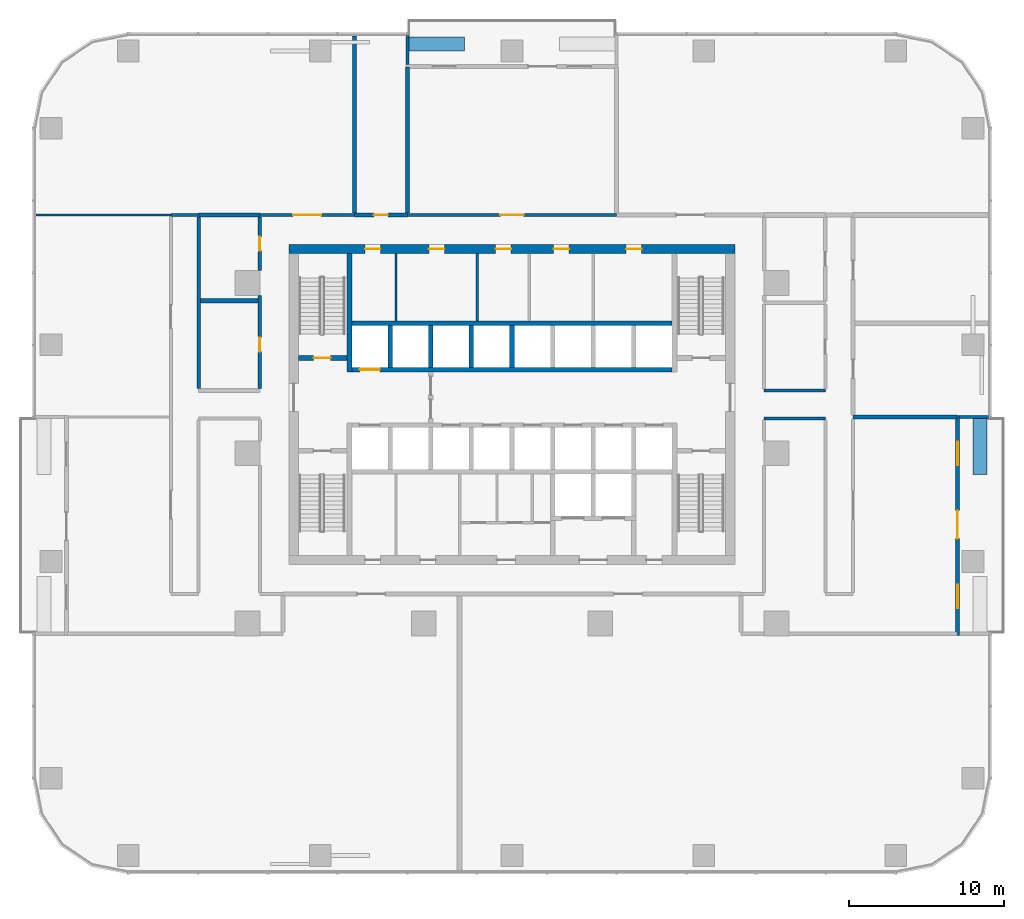
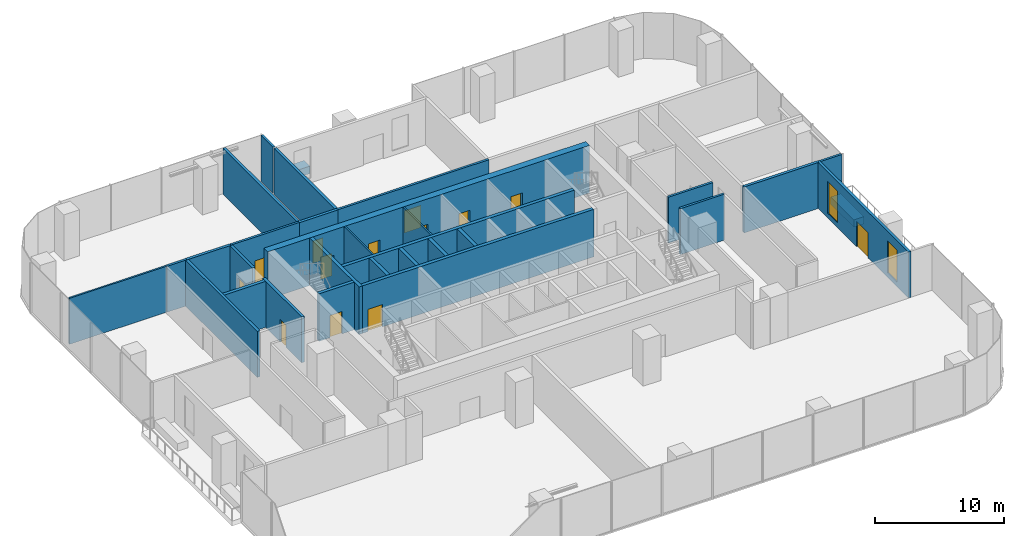
# One storey, part 9 of 14: 31 walls, 13 doors, 2 windows, 15 openings.
"""IFC4 building model written with IfcOpenShell, lengths in metres."""

import ifcopenshell
import ifcopenshell.guid

model = None  # the IFC model being written
_history = None  # IfcOwnerHistory: only IFC2X3 demands one
_inside = {}  # id of a spatial element -> (the spatial element, [elements in it])
_under = {}  # id of a project, library or spatial element -> (it, [spatial elements below it])
_declared = {}  # id of a project -> (the project, [libraries it declares])
_typed = {}  # id of a type object -> (the type object, [elements of that type])
_made_of = {}  # id of a material, layer set ... -> (it, [elements and type objects made of it])


def new_model(schema):
    """Start an empty IFC model of exactly this schema.

    Asked for "IFC4X3", IfcOpenShell would pick the latest addendum, in which some entities
    have other attributes; the version numbers below select the first issue.
    IFC2X3 requires an IfcOwnerHistory on every rooted entity: one is made here for all.
    """
    global model, _history
    if schema == "IFC4X3":
        model = ifcopenshell.file(schema_version=(4, 3, 0, 0))
    else:
        model = ifcopenshell.file(schema=schema)
    _inside.clear()
    _under.clear()
    _declared.clear()
    _typed.clear()
    _made_of.clear()
    _history = None
    if model.schema == "IFC2X3":
        org = make("IfcOrganization", Name="unknown")
        user = make(
            "IfcPersonAndOrganization",
            ThePerson=make("IfcPerson", FamilyName="unknown"),
            TheOrganization=org,
        )
        app = make(
            "IfcApplication",
            ApplicationDeveloper=org,
            Version="unknown",
            ApplicationFullName="unknown",
            ApplicationIdentifier="unknown",
        )
        _history = make(
            "IfcOwnerHistory",
            OwningUser=user,
            OwningApplication=app,
            ChangeAction="ADDED",
            CreationDate=0,
        )
    return model


def make(cls, **values):
    """One entity of the class cls with the attributes given. An attribute that is None is left unset."""
    return model.create_entity(
        cls, **{name: value for name, value in values.items() if value is not None}
    )


def rooted(cls, **values):
    """An entity with a GlobalId (a new one), such as an element, a storey or a relation."""
    return make(cls, GlobalId=ifcopenshell.guid.new(), OwnerHistory=_history, **values)


def si_unit(unit_type, name, prefix=None):
    """IfcSIUnit, for example si_unit("LENGTHUNIT", "METRE", prefix="MILLI")."""
    return make("IfcSIUnit", UnitType=unit_type, Prefix=prefix, Name=name)


def assignment(units):
    """IfcUnitAssignment: the units of a project."""
    return None if units is None else make("IfcUnitAssignment", Units=units)


def point(xyz):
    """IfcCartesianPoint."""
    return None if xyz is None else make("IfcCartesianPoint", Coordinates=xyz)


def direction(xyz):
    """IfcDirection."""
    return None if xyz is None else make("IfcDirection", DirectionRatios=xyz)


def frame(location, z_axis=None, x_axis=None):
    """IfcAxis2Placement3D, a coordinate frame: its origin and axes. An axis left out is left unset."""
    return make(
        "IfcAxis2Placement3D",
        Location=point(location),
        Axis=direction(z_axis),
        RefDirection=direction(x_axis),
    )


def frame_2d(location, x_axis=None):
    """IfcAxis2Placement2D, a coordinate frame in the plane: its origin and x axis."""
    return make(
        "IfcAxis2Placement2D", Location=point(location), RefDirection=direction(x_axis)
    )


def origin():
    """The frame at (0, 0, 0) with its axes left unset."""
    return frame((0.0, 0.0, 0.0))


def place(relative_to, where):
    """IfcLocalPlacement: puts the frame where relative to a parent placement (None: the world)."""
    return make(
        "IfcLocalPlacement", PlacementRelTo=relative_to, RelativePlacement=where
    )


def context(
    kind, dimensions, precision=None, world=None, true_north=None, identifier=None
):
    """IfcGeometricRepresentationContext, for example the 3D "Model" context."""
    return make(
        "IfcGeometricRepresentationContext",
        ContextIdentifier=identifier,
        ContextType=kind,
        CoordinateSpaceDimension=dimensions,
        Precision=precision,
        WorldCoordinateSystem=world,
        TrueNorth=true_north,
    )


def subcontext(parent, identifier, kind, view, scale=None):
    """IfcGeometricRepresentationSubContext, for example "Body" below "Model"."""
    return make(
        "IfcGeometricRepresentationSubContext",
        ContextIdentifier=identifier,
        ContextType=kind,
        ParentContext=parent,
        TargetScale=scale,
        TargetView=view,
    )


def project(units=None, contexts=None):
    """IfcProject with its units and contexts."""
    return rooted(
        "IfcProject",
        Name="project",
        RepresentationContexts=contexts,
        UnitsInContext=assignment(units),
    )


def spatial(cls, under=None, at=None, **own):
    """A site, building, storey or space (cls), placed at a placement, below another one or the project."""
    s = rooted(cls, ObjectPlacement=at, **own)
    if under is not None:
        _under.setdefault(under.id(), (under, []))[1].append(s)
    return s


def profile(cls, at=None, kind="AREA", **sizes):
    """A parametric profile (cls). Its sizes go by their IFC names, for example OverallWidth=200.0."""
    return make(cls, ProfileType=kind, Position=at, **sizes)


def rectangle(**sizes):
    """IfcRectangleProfileDef."""
    return profile("IfcRectangleProfileDef", **sizes)


def extrude(swept, where, along, depth):
    """IfcExtrudedAreaSolid: the profile swept, set in the frame where, extruded along a direction by depth."""
    return make(
        "IfcExtrudedAreaSolid",
        SweptArea=swept,
        Position=where,
        ExtrudedDirection=direction(along),
        Depth=depth,
    )


def shape(context_of_items, identifier, shape_type, items):
    """IfcShapeRepresentation: the items that make up one representation, for example the "Body"."""
    return make(
        "IfcShapeRepresentation",
        ContextOfItems=context_of_items,
        RepresentationIdentifier=identifier,
        RepresentationType=shape_type,
        Items=items,
    )


def material(Name=None, Category=None):
    """IfcMaterial."""
    return make("IfcMaterial", Name=Name, Category=Category)


def layer(
    of_material, thickness, ventilated=None, Name=None, Category=None, Priority=None
):
    """IfcMaterialLayer: one layer of a wall or slab, of a material (None: an air gap)."""
    return make(
        "IfcMaterialLayer",
        Material=of_material,
        LayerThickness=thickness,
        IsVentilated=ventilated,
        Name=Name,
        Category=Category,
        Priority=Priority,
    )


def layer_set(layers, Name=None):
    """IfcMaterialLayerSet."""
    return make("IfcMaterialLayerSet", MaterialLayers=layers, LayerSetName=Name)


def made_of(thing, what):
    """Note that an element or type object is made of a material, layer set ...; save() writes the relation."""
    if what is not None:
        _made_of.setdefault(what.id(), (what, []))[1].append(thing)
    return thing


def type_object(cls, material=None, **own):
    """A type object (cls), such as IfcWallType, which elements share."""
    return made_of(rooted(cls, **own), material)


def element(
    cls,
    number,
    at=None,
    inside=None,
    cuts=None,
    type_object=None,
    material=None,
    context=None,
    identifier="Body",
    shape_type=None,
    held_by="IfcProductDefinitionShape",
    body=None,
    shapes=None,
    **own,
):
    """One element of the class cls, such as IfcWall. Its Tag is "e" and its number.

    at: its placement. inside: the storey or other place that contains it. cuts: it is an
    opening in that element (IfcRelVoidsElement). A single representation is given by context,
    identifier, shape_type and body (its items); several are given by shapes. held_by: the class
    of the entity that holds the representations. save() writes the other relations.
    """
    e = rooted(cls, Tag="e%d" % number, ObjectPlacement=at, **own)
    if body is not None:
        shapes = [shape(context, identifier, shape_type, body)]
    if shapes is not None:
        e.Representation = make(held_by, Representations=shapes)
    if inside is not None:
        _inside.setdefault(inside.id(), (inside, []))[1].append(e)
    if cuts is not None:
        rooted(
            "IfcRelVoidsElement", RelatingBuildingElement=cuts, RelatedOpeningElement=e
        )
    if type_object is not None:
        _typed.setdefault(type_object.id(), (type_object, []))[1].append(e)
    return made_of(e, material)


def fill(opening, filler):
    """IfcRelFillsElement: the door or window that sits in an opening."""
    return rooted(
        "IfcRelFillsElement",
        RelatingOpeningElement=opening,
        RelatedBuildingElement=filler,
    )


def aggregate(whole, parts):
    """IfcRelAggregates: a whole, such as a stair, and the parts it consists of."""
    return rooted("IfcRelAggregates", RelatingObject=whole, RelatedObjects=parts)


def save(model, path):
    """Write the relations noted so far, then the file.

    IfcRelAggregates (storeys below a building ...), IfcRelContainedInSpatialStructure (elements
    in a storey), IfcRelDefinesByType, IfcRelAssociatesMaterial and IfcRelDeclares: one each for
    every whole, place, type object, material and project.
    """
    for whole, parts in _under.values():
        aggregate(whole, parts)
    for where, things in _inside.values():
        rooted(
            "IfcRelContainedInSpatialStructure",
            RelatedElements=things,
            RelatingStructure=where,
        )
    for kind, things in _typed.values():
        rooted("IfcRelDefinesByType", RelatedObjects=things, RelatingType=kind)
    for what, things in _made_of.values():
        rooted("IfcRelAssociatesMaterial", RelatedObjects=things, RelatingMaterial=what)
    for by, libraries in _declared.values():
        rooted("IfcRelDeclares", RelatingContext=by, RelatedDefinitions=libraries)
    model.write(path)


model = new_model("IFC4")

# Units and contexts
model_context = context("Model", 3, precision=1e-05, world=origin(), true_north=direction((0.0, 1.0)))
body_context = subcontext(model_context, "Body", "Model", "MODEL_VIEW")
ifc_project = project(units=[si_unit("LENGTHUNIT", "METRE"), si_unit("AREAUNIT", "SQUARE_METRE"), si_unit("VOLUMEUNIT", "CUBIC_METRE"), si_unit("PLANEANGLEUNIT", "RADIAN"), si_unit("MASSUNIT", "GRAM", prefix="KILO")], contexts=[model_context])

# Site, building, storey
site_placement = place(None, origin())
site = spatial("IfcSite", under=ifc_project, at=site_placement, CompositionType="ELEMENT")
building_placement = place(site_placement, origin())
building = spatial("IfcBuilding", under=site, at=building_placement, Name="Mopane Tessera Tower", CompositionType="ELEMENT")
storey_placement = place(building_placement, frame((0.0, 0.0, 55.0)))
storey = spatial("IfcBuildingStorey", under=building, at=storey_placement, Name="L10", CompositionType="ELEMENT", Elevation=55.0)

# Walls
ifc_material_1 = material(Name="Fire-rated gypsum board partition")
ifc_layer_1 = layer(ifc_material_1, 0.14990234375)
ifc_layer_set_1 = layer_set([ifc_layer_1], Name="Fire-rated gypsum board partition")
wall_type_1 = type_object("IfcWallType", Name="Core room partition 150 mm", PredefinedType="PARTITIONING", material=ifc_layer_set_1)
for number, where, z_axis, x_axis, name in (
    (1, (-7.5, 8.550048828125, 0.0), (0.0, 0.0, 1.0), (0.0, 1.0, 0.0), "L10 Room partition"),
    (2, (-2.25, 8.550048828125, 0.0), (0.0, 0.0, 1.0), (0.0, 1.0, 0.0), "L10 Room partition"),
):
    element("IfcWall", number, at=place(storey_placement, frame(where, z_axis=z_axis, x_axis=x_axis)), inside=storey, type_object=wall_type_1, Name=name, PredefinedType="PARTITIONING", context=body_context, shape_type="SweptSolid", body=[
        extrude(rectangle(XDim=4.349853515625, YDim=0.14990234375, at=frame_2d((2.1748046875, 0.0))), origin(), (0.0, 0.0, 1.0), 4.5),
    ])

# Wall, openings, doors
ifc_material_2 = material(Name="Concrete C70/85", Category="concrete")
ifc_layer_2 = layer(ifc_material_2, 0.60009765625)
ifc_layer_set_2 = layer_set([ifc_layer_2], Name="Concrete C70/85")
wall_type_2 = type_object("IfcWallType", Name="Core shear wall 600 mm", PredefinedType="SHEAR", material=ifc_layer_set_2)
wall_1_placement = place(storey_placement, frame((-14.39990234375, 13.199951171875, 0.0), z_axis=(0.0, 0.0, 1.0), x_axis=(1.0, 0.0, 0.0)))
wall_1 = element("IfcWall", 3, at=wall_1_placement, inside=storey, type_object=wall_type_2, Name="L10 Core wall north", PredefinedType="SHEAR", context=body_context, shape_type="SweptSolid", body=[
    extrude(rectangle(XDim=28.7998046875, YDim=0.60009765625, at=frame_2d((14.39990234375, 0.0))), origin(), (0.0, 0.0, 1.0), 4.5),
])
opening_1_placement = place(wall_1_placement, frame((4.89990234375, 0.0, 0.0)))
opening_1 = element("IfcOpeningElement", 4, at=opening_1_placement, cuts=wall_1, Name="Opening RD1", PredefinedType="OPENING", context=body_context, shape_type="SweptSolid", body=[
    extrude(rectangle(XDim=1.0, YDim=2.10009765625, at=frame_2d((0.5, 1.050048828125))), frame((0.0, 0.31201171875, 0.0), z_axis=(0.0, -1.0, 0.0), x_axis=(1.0, 0.0, 0.0)), (0.0, 0.0, 1.0), 0.6240234375),
])
opening_2_placement = place(wall_1_placement, frame((9.02490234375, 0.0, 0.0)))
opening_2 = element("IfcOpeningElement", 5, at=opening_2_placement, cuts=wall_1, Name="Opening RD1", PredefinedType="OPENING", context=body_context, shape_type="SweptSolid", body=[
    extrude(rectangle(XDim=1.0, YDim=2.10009765625, at=frame_2d((0.5, 1.050048828125))), frame((0.0, 0.31201171875, 0.0), z_axis=(0.0, -1.0, 0.0), x_axis=(1.0, 0.0, 0.0)), (0.0, 0.0, 1.0), 0.6240234375),
])
opening_3_placement = place(wall_1_placement, frame((13.33740234375, 0.0, 0.0)))
opening_3 = element("IfcOpeningElement", 6, at=opening_3_placement, cuts=wall_1, Name="Opening RD1", PredefinedType="OPENING", context=body_context, shape_type="SweptSolid", body=[
    extrude(rectangle(XDim=1.0, YDim=2.10009765625, at=frame_2d((0.5, 1.050048828125))), frame((0.0, 0.31201171875, 0.0), z_axis=(0.0, -1.0, 0.0), x_axis=(1.0, 0.0, 0.0)), (0.0, 0.0, 1.0), 0.6240234375),
])
opening_4_placement = place(wall_1_placement, frame((17.08740234375, 0.0, 0.0)))
opening_4 = element("IfcOpeningElement", 7, at=opening_4_placement, cuts=wall_1, Name="Opening RD1", PredefinedType="OPENING", context=body_context, shape_type="SweptSolid", body=[
    extrude(rectangle(XDim=1.0, YDim=2.10009765625, at=frame_2d((0.5, 1.050048828125))), frame((0.0, 0.31201171875, 0.0), z_axis=(0.0, -1.0, 0.0), x_axis=(1.0, 0.0, 0.0)), (0.0, 0.0, 1.0), 0.6240234375),
])
opening_5_placement = place(wall_1_placement, frame((21.77490234375, 0.0, 0.0)))
opening_5 = element("IfcOpeningElement", 8, at=opening_5_placement, cuts=wall_1, Name="Opening RD1", PredefinedType="OPENING", context=body_context, shape_type="SweptSolid", body=[
    extrude(rectangle(XDim=1.0, YDim=2.10009765625, at=frame_2d((0.5, 1.050048828125))), frame((0.0, 0.31201171875, 0.0), z_axis=(0.0, -1.0, 0.0), x_axis=(1.0, 0.0, 0.0)), (0.0, 0.0, 1.0), 0.6240234375),
])
ifc_material_3 = material(Name="Timber door", Category="wood")
door_type_1 = type_object("IfcDoorType", Name="Core room door 1000 x 2100", OperationType="SINGLE_SWING_LEFT", PredefinedType="DOOR", material=ifc_material_3)
door_1_placement = place(opening_1_placement, origin())
door_1 = element("IfcDoor", 9, at=door_1_placement, inside=storey, type_object=door_type_1, Name="L10 Room door", OperationType="SINGLE_SWING_LEFT", OverallHeight=2.10009765625, OverallWidth=1.0, PredefinedType="DOOR", context=body_context, shape_type="SweptSolid", body=[
    extrude(rectangle(XDim=1.0, YDim=2.10009765625, at=frame_2d((0.5, 1.050048828125))), frame((0.0, 0.02490234375, 0.0), z_axis=(0.0, -1.0, 0.0), x_axis=(1.0, 0.0, 0.0)), (0.0, 0.0, 1.0), 0.050048828125),
])
fill(opening_1, door_1)
door_2_placement = place(opening_2_placement, origin())
door_2 = element("IfcDoor", 10, at=door_2_placement, inside=storey, type_object=door_type_1, Name="L10 Room door", OperationType="SINGLE_SWING_LEFT", OverallHeight=2.10009765625, OverallWidth=1.0, PredefinedType="DOOR", context=body_context, shape_type="SweptSolid", body=[
    extrude(rectangle(XDim=1.0, YDim=2.10009765625, at=frame_2d((0.5, 1.050048828125))), frame((0.0, 0.02490234375, 0.0), z_axis=(0.0, -1.0, 0.0), x_axis=(1.0, 0.0, 0.0)), (0.0, 0.0, 1.0), 0.050048828125),
])
fill(opening_2, door_2)
door_3_placement = place(opening_3_placement, origin())
door_3 = element("IfcDoor", 11, at=door_3_placement, inside=storey, type_object=door_type_1, Name="L10 Room door", OperationType="SINGLE_SWING_LEFT", OverallHeight=2.10009765625, OverallWidth=1.0, PredefinedType="DOOR", context=body_context, shape_type="SweptSolid", body=[
    extrude(rectangle(XDim=1.0, YDim=2.10009765625, at=frame_2d((0.5, 1.050048828125))), frame((0.0, 0.02490234375, 0.0), z_axis=(0.0, -1.0, 0.0), x_axis=(1.0, 0.0, 0.0)), (0.0, 0.0, 1.0), 0.050048828125),
])
fill(opening_3, door_3)
door_4_placement = place(opening_4_placement, origin())
door_4 = element("IfcDoor", 12, at=door_4_placement, inside=storey, type_object=door_type_1, Name="L10 Room door", OperationType="SINGLE_SWING_LEFT", OverallHeight=2.10009765625, OverallWidth=1.0, PredefinedType="DOOR", context=body_context, shape_type="SweptSolid", body=[
    extrude(rectangle(XDim=1.0, YDim=2.10009765625, at=frame_2d((0.5, 1.050048828125))), frame((0.0, 0.02490234375, 0.0), z_axis=(0.0, -1.0, 0.0), x_axis=(1.0, 0.0, 0.0)), (0.0, 0.0, 1.0), 0.050048828125),
])
fill(opening_4, door_4)
door_5_placement = place(opening_5_placement, origin())
door_5 = element("IfcDoor", 13, at=door_5_placement, inside=storey, type_object=door_type_1, Name="L10 Room door", OperationType="SINGLE_SWING_LEFT", OverallHeight=2.10009765625, OverallWidth=1.0, PredefinedType="DOOR", context=body_context, shape_type="SweptSolid", body=[
    extrude(rectangle(XDim=1.0, YDim=2.10009765625, at=frame_2d((0.5, 1.050048828125))), frame((0.0, 0.02490234375, 0.0), z_axis=(0.0, -1.0, 0.0), x_axis=(1.0, 0.0, 0.0)), (0.0, 0.0, 1.0), 0.050048828125),
])
fill(opening_5, door_5)

# Walls
ifc_material_4 = material(Name="Concrete C60/75", Category="concrete")
ifc_layer_3 = layer(ifc_material_4, 0.300048828125)
ifc_layer_set_3 = layer_set([ifc_layer_3], Name="Concrete C60/75")
wall_type_3 = type_object("IfcWallType", Name="Core spine wall 300 mm", PredefinedType="SHEAR", material=ifc_layer_set_3)
wall_2_placement = place(storey_placement, frame((-10.5, 5.25, 0.0), z_axis=(0.0, 0.0, 1.0), x_axis=(0.0, 1.0, 0.0)))
element("IfcWall", 14, at=wall_2_placement, inside=storey, type_object=wall_type_3, Name="L10 Core spine wall", PredefinedType="SHEAR", context=body_context, shape_type="SweptSolid", body=[
    extrude(rectangle(XDim=7.64990234375, YDim=0.300048828125, at=frame_2d((3.824951171875, 0.0))), origin(), (0.0, 0.0, 1.0), 4.5),
])
ifc_material_5 = material(Name="Gypsum board on steel studs, two layers each face, mineral wool infill", Category="steel")
ifc_layer_4 = layer(ifc_material_5, 0.199951171875)
ifc_layer_set_4 = layer_set([ifc_layer_4], Name="Gypsum board on steel studs, two layers each face, mineral wool infill")
wall_type_4 = type_object("IfcWallType", Name="Gypsum board corridor wall 200, rated EI 60", PredefinedType="PARTITIONING", material=ifc_layer_set_4)
for number, where, z_axis, x_axis, name in (
    (15, (16.300048828125, 2.25, 0.0), (0.0, 0.0, 1.0), (1.0, 0.0, 0.0), "Partition L10:010"),
    (16, (16.300048828125, 4.050048828125, 0.0), (0.0, 0.0, 1.0), (1.0, 0.0, 0.0), "Partition L10:013"),
):
    element("IfcWall", number, at=place(storey_placement, frame(where, z_axis=z_axis, x_axis=x_axis)), inside=storey, type_object=wall_type_4, Name=name, PredefinedType="PARTITIONING", context=body_context, shape_type="SweptSolid", body=[
        extrude(rectangle(XDim=3.949951171875, YDim=0.199951171875, at=frame_2d((1.97509765625, 0.0))), origin(), (0.0, 0.0, 1.0), 4.35009765625),
    ])
wall_3_placement = place(storey_placement, frame((-22.050048828125, 15.39990234375, 0.0), z_axis=(0.0, 0.0, 1.0), x_axis=(1.0, 0.0, 0.0)))
element("IfcWall", 17, at=wall_3_placement, inside=storey, type_object=wall_type_4, Name="Partition L10:019", PredefinedType="PARTITIONING", context=body_context, shape_type="SweptSolid", body=[
    extrude(rectangle(XDim=1.800048828125, YDim=0.199951171875, at=frame_2d((0.89990234375, 0.0))), origin(), (0.0, 0.0, 1.0), 4.35009765625),
])

# Wall, opening, door
wall_4_placement = place(storey_placement, frame((-16.300048828125, 15.39990234375, 0.0), z_axis=(0.0, 0.0, 1.0), x_axis=(1.0, 0.0, 0.0)))
wall_4 = element("IfcWall", 18, at=wall_4_placement, inside=storey, type_object=wall_type_4, Name="Partition L10:020", PredefinedType="PARTITIONING", context=body_context, shape_type="SweptSolid", body=[
    extrude(rectangle(XDim=6.114990234375, YDim=0.199951171875, at=frame_2d((3.0576171875, 0.0))), origin(), (0.0, 0.0, 1.0), 4.35009765625),
])
opening_6_placement = place(wall_4_placement, frame((2.157470703125, 0.0, 0.0)))
opening_6 = element("IfcOpeningElement", 19, at=opening_6_placement, cuts=wall_4, Name="Opening L10-11", PredefinedType="OPENING", context=body_context, shape_type="SweptSolid", body=[
    extrude(rectangle(XDim=1.800048828125, YDim=2.10009765625, at=frame_2d((0.89990234375, 1.050048828125))), frame((0.0, 0.112060546875, 0.0), z_axis=(0.0, -1.0, 0.0), x_axis=(1.0, 0.0, 0.0)), (0.0, 0.0, 1.0), 0.223876953125),
])
ifc_material_6 = material(Name="Timber veneered steel-framed fire door", Category="steel")
door_type_2 = type_object("IfcDoorType", Name="Fire door pair FD60 1800 x 2100", OperationType="DOUBLE_DOOR_SINGLE_SWING", PredefinedType="DOOR", material=ifc_material_6)
door_6_placement = place(opening_6_placement, origin())
door_6 = element("IfcDoor", 20, at=door_6_placement, inside=storey, type_object=door_type_2, Name="Door L10-11", ObjectType="D20A", OperationType="DOUBLE_DOOR_SINGLE_SWING", OverallHeight=2.10009765625, OverallWidth=1.800048828125, PredefinedType="DOOR", context=body_context, shape_type="SweptSolid", body=[
    extrude(rectangle(XDim=1.800048828125, YDim=2.10009765625, at=frame_2d((0.89990234375, 1.050048828125))), frame((0.0, 0.02490234375, 0.0), z_axis=(0.0, -1.0, 0.0), x_axis=(1.0, 0.0, 0.0)), (0.0, 0.0, 1.0), 0.050048828125),
])
fill(opening_6, door_6)

wall_5_placement = place(storey_placement, frame((-6.764892578125, 15.39990234375, 0.0), z_axis=(0.0, 0.0, 1.0), x_axis=(1.0, 0.0, 0.0)))
wall_5 = element("IfcWall", 21, at=wall_5_placement, inside=storey, type_object=wall_type_4, Name="Partition L10:021", PredefinedType="PARTITIONING", context=body_context, shape_type="SweptSolid", body=[
    extrude(rectangle(XDim=13.52978515625, YDim=0.199951171875, at=frame_2d((6.764892578125, 0.0))), origin(), (0.0, 0.0, 1.0), 4.35009765625),
])
opening_7_placement = place(wall_5_placement, frame((6.014892578125, 0.0, 0.0)))
opening_7 = element("IfcOpeningElement", 22, at=opening_7_placement, cuts=wall_5, Name="Opening L10-14", PredefinedType="OPENING", context=body_context, shape_type="SweptSolid", body=[
    extrude(rectangle(XDim=1.5, YDim=2.10009765625, at=frame_2d((0.75, 1.050048828125))), frame((0.0, 0.112060546875, 0.0), z_axis=(0.0, -1.0, 0.0), x_axis=(1.0, 0.0, 0.0)), (0.0, 0.0, 1.0), 0.223876953125),
])
ifc_material_7 = material(Name="Timber veneered steel-framed fire door", Category="steel")
door_type_3 = type_object("IfcDoorType", Name="Fire door pair FD60 1500 x 2100", OperationType="DOUBLE_DOOR_SINGLE_SWING", PredefinedType="DOOR", material=ifc_material_7)
door_7_placement = place(opening_7_placement, origin())
door_7 = element("IfcDoor", 23, at=door_7_placement, inside=storey, type_object=door_type_3, Name="Door L10-14", ObjectType="D17A", OperationType="DOUBLE_DOOR_SINGLE_SWING", OverallHeight=2.10009765625, OverallWidth=1.5, PredefinedType="DOOR", context=body_context, shape_type="SweptSolid", body=[
    extrude(rectangle(XDim=1.5, YDim=2.10009765625, at=frame_2d((0.75, 1.050048828125))), frame((0.0, 0.02490234375, 0.0), z_axis=(0.0, -1.0, 0.0), x_axis=(1.0, 0.0, 0.0)), (0.0, 0.0, 1.0), 0.050048828125),
])
fill(opening_7, door_7)

# Wall
ifc_material_8 = material(Name="Gypsum board on steel studs, mineral wool infill", Category="steel")
ifc_layer_5 = layer(ifc_material_8, 0.14990234375)
ifc_layer_set_5 = layer_set([ifc_layer_5], Name="Gypsum board on steel studs, mineral wool infill")
wall_type_5 = type_object("IfcWallType", Name="Gypsum board partition 150, rated EI 60", PredefinedType="PARTITIONING", material=ifc_layer_set_5)
wall_6_placement = place(storey_placement, frame((-30.75, 15.39990234375, 0.0), z_axis=(0.0, 0.0, 1.0), x_axis=(1.0, 0.0, 0.0)))
element("IfcWall", 24, at=wall_6_placement, inside=storey, type_object=wall_type_5, Name="Partition L10:018", PredefinedType="PARTITIONING", context=body_context, shape_type="SweptSolid", body=[
    extrude(rectangle(XDim=8.699951171875, YDim=0.14990234375, at=frame_2d((4.35009765625, 0.0))), origin(), (0.0, 0.0, 1.0), 4.35009765625),
])

# Wall, opening, door
ifc_material_9 = material(Name="Concrete C50/60", Category="concrete")
ifc_layer_6 = layer(ifc_material_9, 0.300048828125)
ifc_layer_set_6 = layer_set([ifc_layer_6], Name="Concrete C50/60")
wall_type_6 = type_object("IfcWallType", Name="Lift and stair shaft wall 300 mm", PredefinedType="SOLIDWALL", material=ifc_layer_set_6)
wall_7_placement = place(storey_placement, frame((-13.800048828125, 6.14990234375, 0.0), z_axis=(0.0, 0.0, 1.0), x_axis=(1.0, 0.0, 0.0)))
wall_7 = element("IfcWall", 25, at=wall_7_placement, inside=storey, type_object=wall_type_6, Name="L10 Stair enclosure wall", PredefinedType="SOLIDWALL", context=body_context, shape_type="SweptSolid", body=[
    extrude(rectangle(XDim=3.150146484375, YDim=0.300048828125, at=frame_2d((1.5751953125, 0.0))), origin(), (0.0, 0.0, 1.0), 4.5),
])
opening_8_placement = place(wall_7_placement, frame((0.97509765625, 0.0, 0.0)))
opening_8 = element("IfcOpeningElement", 26, at=opening_8_placement, cuts=wall_7, Name="Opening SD1", PredefinedType="OPENING", context=body_context, shape_type="SweptSolid", body=[
    extrude(rectangle(XDim=1.10009765625, YDim=2.10009765625, at=frame_2d((0.550048828125, 1.050048828125))), frame((0.0, 0.162109375, 0.0), z_axis=(0.0, -1.0, 0.0), x_axis=(1.0, 0.0, 0.0)), (0.0, 0.0, 1.0), 0.323974609375),
])
ifc_material_10 = material(Name="Steel fire door", Category="steel")
door_type_4 = type_object("IfcDoorType", Name="Stair fire door 1100 x 2100", OperationType="SINGLE_SWING_LEFT", PredefinedType="DOOR", material=ifc_material_10)
door_8_placement = place(opening_8_placement, origin())
door_8 = element("IfcDoor", 27, at=door_8_placement, inside=storey, type_object=door_type_4, Name="L10 Stair door ST2", OperationType="SINGLE_SWING_LEFT", OverallHeight=2.10009765625, OverallWidth=1.10009765625, PredefinedType="DOOR", context=body_context, shape_type="SweptSolid", body=[
    extrude(rectangle(XDim=1.10009765625, YDim=2.10009765625, at=frame_2d((0.550048828125, 1.050048828125))), frame((0.0, 0.02490234375, 0.0), z_axis=(0.0, -1.0, 0.0), x_axis=(1.0, 0.0, 0.0)), (0.0, 0.0, 1.0), 0.050048828125),
])
fill(opening_8, door_8)

wall_8_placement = place(storey_placement, frame((-10.35009765625, 5.39990234375, 0.0), z_axis=(0.0, 0.0, 1.0), x_axis=(1.0, 0.0, 0.0)))
wall_8 = element("IfcWall", 28, at=wall_8_placement, inside=storey, type_object=wall_type_6, Name="L10 Lift shaft front wall", PredefinedType="SOLIDWALL", context=body_context, shape_type="SweptSolid", body=[
    extrude(rectangle(XDim=20.7001953125, YDim=0.300048828125, at=frame_2d((10.35009765625, 0.0))), origin(), (0.0, 0.0, 1.0), 4.5),
])
opening_9_placement = place(wall_8_placement, frame((0.512451171875, 0.0, 0.0)))
opening_9 = element("IfcOpeningElement", 29, at=opening_9_placement, cuts=wall_8, Name="Opening LD2", PredefinedType="OPENING", context=body_context, shape_type="SweptSolid", body=[
    extrude(rectangle(XDim=1.300048828125, YDim=2.10009765625, at=frame_2d((0.64990234375, 1.050048828125))), frame((0.0, 0.162109375, 0.0), z_axis=(0.0, -1.0, 0.0), x_axis=(1.0, 0.0, 0.0)), (0.0, 0.0, 1.0), 0.323974609375),
])
ifc_material_11 = material(Name="Stainless steel sliding door", Category="steel")
door_type_5 = type_object("IfcDoorType", Name="Fire-fighting lift landing door 1300 x 2100", OperationType="DOUBLE_DOOR_SLIDING", PredefinedType="DOOR", material=ifc_material_11)
door_9_placement = place(opening_9_placement, origin())
door_9 = element("IfcDoor", 30, at=door_9_placement, inside=storey, type_object=door_type_5, Name="L10 Lift landing door FF2", OperationType="DOUBLE_DOOR_SLIDING", OverallHeight=2.10009765625, OverallWidth=1.300048828125, PredefinedType="DOOR", context=body_context, shape_type="SweptSolid", body=[
    extrude(rectangle(XDim=1.300048828125, YDim=2.10009765625, at=frame_2d((0.64990234375, 1.050048828125))), frame((0.0, 0.02490234375, 0.0), z_axis=(0.0, -1.0, 0.0), x_axis=(1.0, 0.0, 0.0)), (0.0, 0.0, 1.0), 0.050048828125),
])
fill(opening_9, door_9)

# Walls
wall_9_placement = place(storey_placement, frame((-10.35009765625, 8.39990234375, 0.0), z_axis=(0.0, 0.0, 1.0), x_axis=(1.0, 0.0, 0.0)))
element("IfcWall", 31, at=wall_9_placement, inside=storey, type_object=wall_type_6, Name="L10 Lift shaft rear wall", PredefinedType="SOLIDWALL", context=body_context, shape_type="SweptSolid", body=[
    extrude(rectangle(XDim=20.7001953125, YDim=0.300048828125, at=frame_2d((10.35009765625, 0.0))), origin(), (0.0, 0.0, 1.0), 4.5),
])
for number, where, z_axis, x_axis, name in (
    (32, (-7.875, 5.550048828125, 0.0), (0.0, 0.0, 1.0), (0.0, 1.0, 0.0), "L10 Lift shaft wall"),
    (33, (-5.25, 5.550048828125, 0.0), (0.0, 0.0, 1.0), (0.0, 1.0, 0.0), "L10 Lift shaft wall"),
    (34, (-2.625, 5.550048828125, 0.0), (0.0, 0.0, 1.0), (0.0, 1.0, 0.0), "L10 Lift shaft wall"),
    (35, (0.0, 5.550048828125, 0.0), (0.0, 0.0, 1.0), (0.0, 1.0, 0.0), "L10 Lift shaft wall"),
):
    element("IfcWall", number, at=place(storey_placement, frame(where, z_axis=z_axis, x_axis=x_axis)), inside=storey, type_object=wall_type_6, Name=name, PredefinedType="SOLIDWALL", context=body_context, shape_type="SweptSolid", body=[
        extrude(rectangle(XDim=2.699951171875, YDim=0.300048828125, at=frame_2d((1.35009765625, 0.0))), origin(), (0.0, 0.0, 1.0), 4.5),
    ])
ifc_material_12 = material(Name="Reinforced concrete C32/40 with waterproofing", Category="concrete")
ifc_layer_7 = layer(ifc_material_12, 0.89990234375)
ifc_layer_set_7 = layer_set([ifc_layer_7], Name="Reinforced concrete C32/40 with waterproofing")
wall_type_7 = type_object("IfcWallType", Name="Planter trough 3600 x 900", PredefinedType="STANDARD", material=ifc_layer_set_7)
wall_10_placement = place(storey_placement, frame((30.25, -1.36669921875, 0.0), z_axis=(0.0, 0.0, 1.0), x_axis=(0.0, 1.0, 0.0)))
element("IfcWall", 36, at=wall_10_placement, inside=storey, type_object=wall_type_7, Name="e:nw:L10:N1:pl1", PredefinedType="STANDARD", context=body_context, shape_type="SweptSolid", body=[
    extrude(rectangle(XDim=3.60009765625, YDim=0.89990234375, at=frame_2d((1.800048828125, 0.0))), origin(), (0.0, 0.0, 1.0), 0.699951171875),
])
wall_11_placement = place(storey_placement, frame((-3.063720703125, 26.449951171875, 0.0), z_axis=(0.0, 0.0, 1.0), x_axis=(-1.0, 0.0, 0.0)))
element("IfcWall", 37, at=wall_11_placement, inside=storey, type_object=wall_type_7, Name="e:nw:L10:N2:pl1", PredefinedType="STANDARD", context=body_context, shape_type="SweptSolid", body=[
    extrude(rectangle(XDim=3.599853515625, YDim=0.89990234375, at=frame_2d((1.7998046875, 0.0))), origin(), (0.0, 0.0, 1.0), 0.699951171875),
])
ifc_material_13 = material(Name="Plastered concrete blockwork C20/25", Category="masonry")
ifc_layer_8 = layer(ifc_material_13, 0.300048828125)
ifc_layer_set_8 = layer_set([ifc_layer_8], Name="Plastered concrete blockwork C20/25")
wall_type_8 = type_object("IfcWallType", Name="Plastered blockwork separation wall 300, rated EI 120", PredefinedType="PARTITIONING", material=ifc_layer_set_8)
wall_12_placement = place(storey_placement, frame((-20.125, 9.860107421875, 0.0), z_axis=(0.0, 0.0, 1.0), x_axis=(1.0, 0.0, 0.0)))
element("IfcWall", 38, at=wall_12_placement, inside=storey, type_object=wall_type_8, Name="Partition L10:017", PredefinedType="PARTITIONING", context=body_context, shape_type="SweptSolid", body=[
    extrude(rectangle(XDim=3.699951171875, YDim=0.300048828125, at=frame_2d((1.85009765625, 0.0))), origin(), (0.0, 0.0, 1.0), 4.35009765625),
])
ifc_material_14 = material(Name="Plastered concrete blockwork C20/25", Category="masonry")
ifc_layer_9 = layer(ifc_material_14, 0.25)
ifc_layer_set_9 = layer_set([ifc_layer_9], Name="Plastered concrete blockwork C20/25")
wall_type_9 = type_object("IfcWallType", Name="Plastered blockwork wall 250, rated EI 120", PredefinedType="PARTITIONING", material=ifc_layer_set_9)
wall_13_placement = place(storey_placement, frame((22.050048828125, 2.3349609375, 0.0), z_axis=(0.0, 0.0, 1.0), x_axis=(1.0, 0.0, 0.0)))
element("IfcWall", 39, at=wall_13_placement, inside=storey, type_object=wall_type_9, Name="Partition L10:012", PredefinedType="PARTITIONING", context=body_context, shape_type="SweptSolid", body=[
    extrude(rectangle(XDim=6.699951171875, YDim=0.25, at=frame_2d((3.35009765625, 0.0))), origin(), (0.0, 0.0, 1.0), 4.35009765625),
])
wall_14_placement = place(storey_placement, frame((-20.25, 15.39990234375, 0.0), z_axis=(0.0, 0.0, 1.0), x_axis=(1.0, 0.0, 0.0)))
element("IfcWall", 40, at=wall_14_placement, inside=storey, type_object=wall_type_9, Name="Partition L10:022", PredefinedType="PARTITIONING", context=body_context, shape_type="SweptSolid", body=[
    extrude(rectangle(XDim=3.949951171875, YDim=0.25, at=frame_2d((1.97509765625, 0.0))), origin(), (0.0, 0.0, 1.0), 4.35009765625),
])

# Wall, opening, door
wall_15_placement = place(storey_placement, frame((-10.18505859375, 15.39990234375, 0.0), z_axis=(0.0, 0.0, 1.0), x_axis=(1.0, 0.0, 0.0)))
wall_15 = element("IfcWall", 41, at=wall_15_placement, inside=storey, type_object=wall_type_9, Name="Partition L10:023", PredefinedType="PARTITIONING", context=body_context, shape_type="SweptSolid", body=[
    extrude(rectangle(XDim=3.420166015625, YDim=0.25, at=frame_2d((1.7099609375, 0.0))), origin(), (0.0, 0.0, 1.0), 4.35009765625),
])
opening_10_placement = place(wall_15_placement, frame((1.260009765625, 0.0, 0.0)))
opening_10 = element("IfcOpeningElement", 42, at=opening_10_placement, cuts=wall_15, Name="Opening L10-02", PredefinedType="OPENING", context=body_context, shape_type="SweptSolid", body=[
    extrude(rectangle(XDim=0.89990234375, YDim=2.10009765625, at=frame_2d((0.449951171875, 1.050048828125))), frame((0.0, 0.136962890625, 0.0), z_axis=(0.0, -1.0, 0.0), x_axis=(1.0, 0.0, 0.0)), (0.0, 0.0, 1.0), 0.27392578125),
])
ifc_material_15 = material(Name="Timber veneered steel-framed fire door", Category="steel")
door_type_6 = type_object("IfcDoorType", Name="Fire door FD120 900 x 2100", OperationType="SINGLE_SWING_LEFT", PredefinedType="DOOR", material=ifc_material_15)
door_10_placement = place(opening_10_placement, origin())
door_10 = element("IfcDoor", 43, at=door_10_placement, inside=storey, type_object=door_type_6, Name="Door L10-02", ObjectType="D10B", OperationType="SINGLE_SWING_RIGHT", OverallHeight=2.10009765625, OverallWidth=0.89990234375, PredefinedType="DOOR", context=body_context, shape_type="SweptSolid", body=[
    extrude(rectangle(XDim=0.89990234375, YDim=2.10009765625, at=frame_2d((0.449951171875, 1.050048828125))), frame((0.0, 0.02490234375, 0.0), z_axis=(0.0, -1.0, 0.0), x_axis=(1.0, 0.0, 0.0)), (0.0, 0.0, 1.0), 0.050048828125),
])
fill(opening_10, door_10)

# Wall
wall_16_placement = place(storey_placement, frame((-20.25, 4.175048828125, 0.0), z_axis=(0.0, 0.0, 1.0), x_axis=(0.0, 1.0, 0.0)))
element("IfcWall", 44, at=wall_16_placement, inside=storey, type_object=wall_type_9, Name="Partition L10:030", PredefinedType="PARTITIONING", context=body_context, shape_type="SweptSolid", body=[
    extrude(rectangle(XDim=11.099853515625, YDim=0.25, at=frame_2d((5.5498046875, 0.0))), origin(), (0.0, 0.0, 1.0), 4.35009765625),
])

# Wall, opening, door
wall_17_placement = place(storey_placement, frame((-16.300048828125, 4.175048828125, 0.0), z_axis=(0.0, 0.0, 1.0), x_axis=(0.0, 1.0, 0.0)))
wall_17 = element("IfcWall", 45, at=wall_17_placement, inside=storey, type_object=wall_type_9, Name="Partition L10:033", PredefinedType="PARTITIONING", context=body_context, shape_type="SweptSolid", body=[
    extrude(rectangle(XDim=6.02490234375, YDim=0.25, at=frame_2d((3.012451171875, 0.0))), origin(), (0.0, 0.0, 1.0), 4.35009765625),
])
opening_11_placement = place(wall_17_placement, frame((2.392578125, 0.0, 0.0)))
opening_11 = element("IfcOpeningElement", 46, at=opening_11_placement, cuts=wall_17, Name="Opening L10-09", PredefinedType="OPENING", context=body_context, shape_type="SweptSolid", body=[
    extrude(rectangle(XDim=0.89990234375, YDim=2.10009765625, at=frame_2d((0.449951171875, 1.050048828125))), frame((0.0, 0.136962890625, 0.0), z_axis=(0.0, -1.0, 0.0), x_axis=(1.0, 0.0, 0.0)), (0.0, 0.0, 1.0), 0.27392578125),
])
door_11_placement = place(opening_11_placement, origin())
door_11 = element("IfcDoor", 47, at=door_11_placement, inside=storey, type_object=door_type_6, Name="Door L10-09", ObjectType="D10B", OperationType="SINGLE_SWING_LEFT", OverallHeight=2.10009765625, OverallWidth=0.89990234375, PredefinedType="DOOR", context=body_context, shape_type="SweptSolid", body=[
    extrude(rectangle(XDim=0.89990234375, YDim=2.10009765625, at=frame_2d((0.449951171875, 1.050048828125))), frame((0.0, 0.02490234375, 0.0), z_axis=(0.0, -1.0, 0.0), x_axis=(1.0, 0.0, 0.0)), (0.0, 0.0, 1.0), 0.050048828125),
])
fill(opening_11, door_11)

wall_18_placement = place(storey_placement, frame((-16.300048828125, 11.800048828125, 0.0), z_axis=(0.0, 0.0, 1.0), x_axis=(0.0, 1.0, 0.0)))
wall_18 = element("IfcWall", 48, at=wall_18_placement, inside=storey, type_object=wall_type_9, Name="Partition L10:034", PredefinedType="PARTITIONING", context=body_context, shape_type="SweptSolid", body=[
    extrude(rectangle(XDim=3.474853515625, YDim=0.25, at=frame_2d((1.7373046875, 0.0))), origin(), (0.0, 0.0, 1.0), 4.35009765625),
])
opening_12_placement = place(wall_18_placement, frame((1.28759765625, 0.0, 0.0)))
opening_12 = element("IfcOpeningElement", 49, at=opening_12_placement, cuts=wall_18, Name="Opening L10-01", PredefinedType="OPENING", context=body_context, shape_type="SweptSolid", body=[
    extrude(rectangle(XDim=0.89990234375, YDim=2.10009765625, at=frame_2d((0.449951171875, 1.050048828125))), frame((0.0, 0.136962890625, 0.0), z_axis=(0.0, -1.0, 0.0), x_axis=(1.0, 0.0, 0.0)), (0.0, 0.0, 1.0), 0.27392578125),
])
door_12_placement = place(opening_12_placement, origin())
door_12 = element("IfcDoor", 50, at=door_12_placement, inside=storey, type_object=door_type_6, Name="Door L10-01", ObjectType="D10B", OperationType="SINGLE_SWING_LEFT", OverallHeight=2.10009765625, OverallWidth=0.89990234375, PredefinedType="DOOR", context=body_context, shape_type="SweptSolid", body=[
    extrude(rectangle(XDim=0.89990234375, YDim=2.10009765625, at=frame_2d((0.449951171875, 1.050048828125))), frame((0.0, 0.02490234375, 0.0), z_axis=(0.0, -1.0, 0.0), x_axis=(1.0, 0.0, 0.0)), (0.0, 0.0, 1.0), 0.050048828125),
])
fill(opening_12, door_12)

# Walls
wall_19_placement = place(storey_placement, frame((-10.18505859375, 15.52490234375, 0.0), z_axis=(0.0, 0.0, 1.0), x_axis=(0.0, 1.0, 0.0)))
element("IfcWall", 51, at=wall_19_placement, inside=storey, type_object=wall_type_9, Name="Partition L10:036", PredefinedType="PARTITIONING", context=body_context, shape_type="SweptSolid", body=[
    extrude(rectangle(XDim=11.425048828125, YDim=0.25, at=frame_2d((5.71240234375, 0.0))), origin(), (0.0, 0.0, 1.0), 4.35009765625),
])
wall_20_placement = place(storey_placement, frame((-6.764892578125, 15.52490234375, 0.0), z_axis=(0.0, 0.0, 1.0), x_axis=(0.0, 1.0, 0.0)))
element("IfcWall", 52, at=wall_20_placement, inside=storey, type_object=wall_type_9, Name="Partition L10:037", PredefinedType="PARTITIONING", context=body_context, shape_type="SweptSolid", body=[
    extrude(rectangle(XDim=9.425048828125, YDim=0.25, at=frame_2d((4.71240234375, 0.0))), origin(), (0.0, 0.0, 1.0), 4.35009765625),
])
ifc_material_16 = material(Name="Blockwork with glazed tile facing", Category="masonry")
ifc_layer_10 = layer(ifc_material_16, 0.199951171875)
ifc_layer_set_10 = layer_set([ifc_layer_10], Name="Blockwork with glazed tile facing")
wall_type_10 = type_object("IfcWallType", Name="Terrace cheek wall 200", PredefinedType="STANDARD", material=ifc_layer_set_10)
for number, where, z_axis, x_axis, name in (
    (53, (30.800048828125, 2.333251953125, 0.0), (0.0, 0.0, 1.0), (-1.0, 0.0, 0.0), "e:nw:L10:N1:cheekb"),
    (54, (-6.763671875, 27.0, 0.0), (0.0, 0.0, 1.0), (0.0, -1.0, 0.0), "e:nw:L10:N2:cheekb"),
):
    element("IfcWall", number, at=place(storey_placement, frame(where, z_axis=z_axis, x_axis=x_axis)), inside=storey, type_object=wall_type_10, Name=name, PredefinedType="STANDARD", context=body_context, shape_type="SweptSolid", body=[
        extrude(rectangle(XDim=1.875, YDim=0.199951171875, at=frame_2d((0.9375, 0.0))), origin(), (0.0, 0.0, 1.0), 4.35009765625),
    ])

# Wall, openings, windows, door
ifc_material_17 = material(Name="Blockwork with ultramarine glazed tile facing", Category="masonry")
ifc_layer_11 = layer(ifc_material_17, 0.25)
ifc_layer_set_11 = layer_set([ifc_layer_11], Name="Blockwork with ultramarine glazed tile facing")
wall_type_11 = type_object("IfcWallType", Name="Tile-clad external wall 250, ultramarine", PredefinedType="STANDARD", material=ifc_layer_set_11)
wall_21_placement = place(storey_placement, frame((28.800048828125, -11.7666015625, 0.0), z_axis=(0.0, 0.0, 1.0), x_axis=(0.0, 1.0, 0.0)))
wall_21 = element("IfcWall", 55, at=wall_21_placement, inside=storey, type_object=wall_type_11, Name="e:nw:L10:N1:back", PredefinedType="STANDARD", context=body_context, shape_type="SweptSolid", body=[
    extrude(rectangle(XDim=14.199951171875, YDim=0.25, at=frame_2d((7.10009765625, 0.0))), origin(), (0.0, 0.0, 1.0), 4.35009765625),
])
opening_13_placement = place(wall_21_placement, frame((1.75, 0.0, 0.449951171875)))
opening_13 = element("IfcOpeningElement", 56, at=opening_13_placement, cuts=wall_21, Name="Opening NW101A", PredefinedType="OPENING", context=body_context, shape_type="SweptSolid", body=[
    extrude(rectangle(XDim=1.5, YDim=3.0, at=frame_2d((0.75, 1.5))), frame((0.0, 0.136962890625, 0.0), z_axis=(0.0, -1.0, 0.0), x_axis=(1.0, 0.0, 0.0)), (0.0, 0.0, 1.0), 0.27392578125),
])
opening_14_placement = place(wall_21_placement, frame((6.25, 0.0, 0.0)))
opening_14 = element("IfcOpeningElement", 57, at=opening_14_placement, cuts=wall_21, Name="Opening ND101", PredefinedType="OPENING", context=body_context, shape_type="SweptSolid", body=[
    extrude(rectangle(XDim=1.800048828125, YDim=2.39990234375, at=frame_2d((0.89990234375, 1.199951171875))), frame((0.0, 0.136962890625, 0.0), z_axis=(0.0, -1.0, 0.0), x_axis=(1.0, 0.0, 0.0)), (0.0, 0.0, 1.0), 0.27392578125),
])
opening_15_placement = place(wall_21_placement, frame((11.0, 0.0, 0.449951171875)))
opening_15 = element("IfcOpeningElement", 58, at=opening_15_placement, cuts=wall_21, Name="Opening NW101B", PredefinedType="OPENING", context=body_context, shape_type="SweptSolid", body=[
    extrude(rectangle(XDim=1.5, YDim=3.0, at=frame_2d((0.75, 1.5))), frame((0.0, 0.136962890625, 0.0), z_axis=(0.0, -1.0, 0.0), x_axis=(1.0, 0.0, 0.0)), (0.0, 0.0, 1.0), 0.27392578125),
])
ifc_material_18 = material(Name="Clear laminated glass", Category="glass")
window_type = type_object("IfcWindowType", Name="Fixed window 1500 x 3000", PartitioningType="SINGLE_PANEL", PredefinedType="WINDOW", material=ifc_material_18)
window_1_placement = place(opening_13_placement, origin())
window_1 = element("IfcWindow", 59, at=window_1_placement, inside=storey, type_object=window_type, Name="e:nw:L10:N1:win0", OverallHeight=3.0, OverallWidth=1.5, PartitioningType="SINGLE_PANEL", PredefinedType="WINDOW", context=body_context, shape_type="SweptSolid", body=[
    extrude(rectangle(XDim=1.5, YDim=3.0, at=frame_2d((0.75, 1.5))), frame((0.0, 0.030029296875, 0.0), z_axis=(0.0, -1.0, 0.0), x_axis=(1.0, 0.0, 0.0)), (0.0, 0.0, 1.0), 0.06005859375),
])
fill(opening_13, window_1)
window_2_placement = place(opening_15_placement, origin())
window_2 = element("IfcWindow", 60, at=window_2_placement, inside=storey, type_object=window_type, Name="e:nw:L10:N1:win2", OverallHeight=3.0, OverallWidth=1.5, PartitioningType="SINGLE_PANEL", PredefinedType="WINDOW", context=body_context, shape_type="SweptSolid", body=[
    extrude(rectangle(XDim=1.5, YDim=3.0, at=frame_2d((0.75, 1.5))), frame((0.0, 0.030029296875, 0.0), z_axis=(0.0, -1.0, 0.0), x_axis=(1.0, 0.0, 0.0)), (0.0, 0.0, 1.0), 0.06005859375),
])
fill(opening_15, window_2)
ifc_material_19 = material(Name="Aluminium and clear glass", Category="aluminium")
door_type_7 = type_object("IfcDoorType", Name="Terrace double door 1800 x 2400", OperationType="DOUBLE_DOOR_SINGLE_SWING", PredefinedType="DOOR", material=ifc_material_19)
door_13_placement = place(opening_14_placement, origin())
door_13 = element("IfcDoor", 61, at=door_13_placement, inside=storey, type_object=door_type_7, Name="e:nw:L10:N1:door", ObjectType="D1", OperationType="DOUBLE_DOOR_SINGLE_SWING", OverallHeight=2.39990234375, OverallWidth=1.800048828125, PredefinedType="DOOR", context=body_context, shape_type="SweptSolid", body=[
    extrude(rectangle(XDim=1.800048828125, YDim=2.39990234375, at=frame_2d((0.89990234375, 1.199951171875))), frame((0.0, 0.02490234375, 0.0), z_axis=(0.0, -1.0, 0.0), x_axis=(1.0, 0.0, 0.0)), (0.0, 0.0, 1.0), 0.050048828125),
])
fill(opening_14, door_13)

save(model, "model.ifc")
